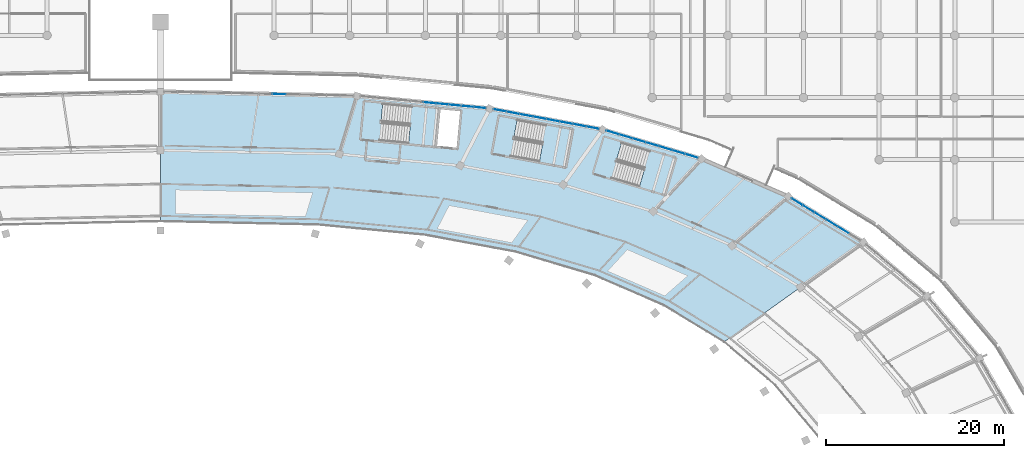
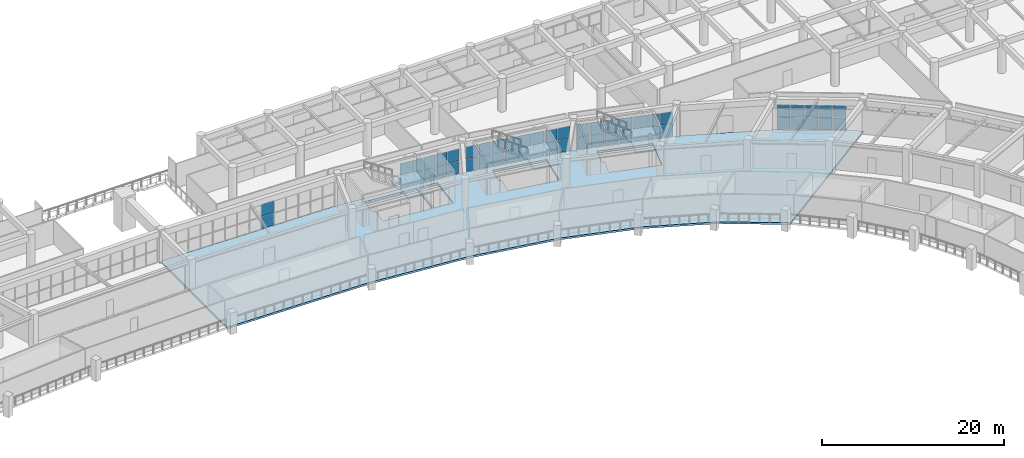
# One storey, part 86 of 141: 52 plates, 4 slabs, 8 elements without a shape of their own.
"""IFC4 building model written with IfcOpenShell, lengths in metres."""

from ifc_helpers import new_model, si_unit, direction, frame, origin, origin_2d, place, context, subcontext, project, spatial, polyline, rectangle, outline, extrude, material, layer, layer_set, type_object, element, aggregate, save


model = new_model("IFC4")

# Units and contexts
model_context = context("Model", 3, precision=1e-05, world=origin(), true_north=direction((0.0, 1.0)))
body_context = subcontext(model_context, "Body", "Model", "MODEL_VIEW")
ifc_project = project(units=[si_unit("LENGTHUNIT", "METRE"), si_unit("AREAUNIT", "SQUARE_METRE"), si_unit("VOLUMEUNIT", "CUBIC_METRE"), si_unit("PLANEANGLEUNIT", "RADIAN"), si_unit("MASSUNIT", "GRAM", prefix="KILO")], contexts=[model_context])

# Site, building, storey
site_placement = place(None, origin())
site = spatial("IfcSite", under=ifc_project, at=site_placement, CompositionType="ELEMENT")
building_placement = place(site_placement, origin())
building = spatial("IfcBuilding", under=site, at=building_placement, Name="Mphavela Belvedere Stadium", CompositionType="ELEMENT")
storey_placement = place(building_placement, frame((0.0, 0.0, 14.699951171875)))
storey = spatial("IfcBuildingStorey", under=building, at=storey_placement, Name="L03", CompositionType="ELEMENT", Elevation=14.699951171875)

# Curtain wall, plates
ifc_material_1 = material(Name="Anodised bronze unitised curtain wall framing")
ifc_layer_1 = layer(ifc_material_1, 0.205078125)
ifc_layer_set_1 = layer_set([ifc_layer_1], Name="Anodised bronze unitised curtain wall framing")
curtain_wall_type_1 = type_object("IfcCurtainWallType", Name="CW-UNIT-06", PredefinedType="USERDEFINED", material=ifc_layer_set_1)
curtain_wall_1_placement = place(storey_placement, origin())
curtain_wall_1 = element("IfcCurtainWall", 1, at=curtain_wall_1_placement, inside=storey, type_object=curtain_wall_type_1, Name="Belvedere colonnade curtain wall L03-07", ObjectType="UNITISED CURTAIN WALL", PredefinedType="USERDEFINED")
ifc_material_2 = material(Name="Solar-control double glazing", Category="glass")
ifc_layer_2 = layer(ifc_material_2, 0.031982421875)
ifc_layer_set_2 = layer_set([ifc_layer_2], Name="Solar-control double glazing")
plate_type = type_object("IfcPlateType", Name="CWP-SOLAR-GLASS", PredefinedType="CURTAIN_PANEL", material=ifc_layer_set_2)
plate_1_placement = place(storey_placement, frame((191.88134765625, 145.09814453125, 0.06005859375), z_axis=(0.0, 0.0, 1.0), x_axis=(-0.8543254975, 0.519738342169, 0.0)))
plate_1 = element("IfcPlate", 2, at=plate_1_placement, type_object=plate_type, Name="CW-06 panel 2.1", PredefinedType="CURTAIN_PANEL", context=body_context, shape_type="SweptSolid", body=[
    extrude(rectangle(XDim=1.4609375, YDim=0.031982421875, at=origin_2d()), origin(), (0.0, 0.0, 1.0), 1.6201171875),
])
plate_2_placement = place(storey_placement, frame((191.88134765625, 145.09814453125, 1.739990234375), z_axis=(0.0, 0.0, 1.0), x_axis=(-0.8543254975, 0.519738342169, 0.0)))
plate_2 = element("IfcPlate", 3, at=plate_2_placement, type_object=plate_type, Name="CW-06 panel 2.2", PredefinedType="CURTAIN_PANEL", context=body_context, shape_type="SweptSolid", body=[
    extrude(rectangle(XDim=1.4609375, YDim=0.031982421875, at=origin_2d()), origin(), (0.0, 0.0, 1.0), 1.6201171875),
])
plate_3_placement = place(storey_placement, frame((190.57763671875, 145.89111328125, 0.06005859375), z_axis=(0.0, 0.0, 1.0), x_axis=(-0.8543254975, 0.519738342169, 0.0)))
plate_3 = element("IfcPlate", 4, at=plate_3_placement, type_object=plate_type, Name="CW-06 panel 3.1", PredefinedType="CURTAIN_PANEL", context=body_context, shape_type="SweptSolid", body=[
    extrude(rectangle(XDim=1.4609375, YDim=0.031982421875, at=origin_2d()), origin(), (0.0, 0.0, 1.0), 1.6201171875),
])
plate_4_placement = place(storey_placement, frame((190.57763671875, 145.89111328125, 1.739990234375), z_axis=(0.0, 0.0, 1.0), x_axis=(-0.8543254975, 0.519738342169, 0.0)))
plate_4 = element("IfcPlate", 5, at=plate_4_placement, type_object=plate_type, Name="CW-06 panel 3.2", PredefinedType="CURTAIN_PANEL", context=body_context, shape_type="SweptSolid", body=[
    extrude(rectangle(XDim=1.4609375, YDim=0.031982421875, at=origin_2d()), origin(), (0.0, 0.0, 1.0), 1.6201171875),
])
plate_5_placement = place(storey_placement, frame((189.274169921875, 146.684326171875, 0.06005859375), z_axis=(0.0, 0.0, 1.0), x_axis=(-0.8543254975, 0.519738342169, 0.0)))
plate_5 = element("IfcPlate", 6, at=plate_5_placement, type_object=plate_type, Name="CW-06 panel 4.1", PredefinedType="CURTAIN_PANEL", context=body_context, shape_type="SweptSolid", body=[
    extrude(rectangle(XDim=1.4609375, YDim=0.031982421875, at=origin_2d()), origin(), (0.0, 0.0, 1.0), 1.6201171875),
])
plate_6_placement = place(storey_placement, frame((189.274169921875, 146.684326171875, 1.739990234375), z_axis=(0.0, 0.0, 1.0), x_axis=(-0.8543254975, 0.519738342169, 0.0)))
plate_6 = element("IfcPlate", 7, at=plate_6_placement, type_object=plate_type, Name="CW-06 panel 4.2", PredefinedType="CURTAIN_PANEL", context=body_context, shape_type="SweptSolid", body=[
    extrude(rectangle(XDim=1.4609375, YDim=0.031982421875, at=origin_2d()), origin(), (0.0, 0.0, 1.0), 1.6201171875),
])
plate_7_placement = place(storey_placement, frame((187.970458984375, 147.477294921875, 0.06005859375), z_axis=(0.0, 0.0, 1.0), x_axis=(-0.8543254975, 0.519738342169, 0.0)))
plate_7 = element("IfcPlate", 8, at=plate_7_placement, type_object=plate_type, Name="CW-06 panel 5.1", PredefinedType="CURTAIN_PANEL", context=body_context, shape_type="SweptSolid", body=[
    extrude(rectangle(XDim=1.4609375, YDim=0.031982421875, at=origin_2d()), origin(), (0.0, 0.0, 1.0), 1.6201171875),
])
plate_8_placement = place(storey_placement, frame((187.970458984375, 147.477294921875, 1.739990234375), z_axis=(0.0, 0.0, 1.0), x_axis=(-0.8543254975, 0.519738342169, 0.0)))
plate_8 = element("IfcPlate", 9, at=plate_8_placement, type_object=plate_type, Name="CW-06 panel 5.2", PredefinedType="CURTAIN_PANEL", context=body_context, shape_type="SweptSolid", body=[
    extrude(rectangle(XDim=1.4609375, YDim=0.031982421875, at=origin_2d()), origin(), (0.0, 0.0, 1.0), 1.6201171875),
])
plate_9_placement = place(storey_placement, frame((186.6806640625, 148.261962890625, 0.06005859375), z_axis=(0.0, 0.0, 1.0), x_axis=(-0.8543254975, 0.519738342169, 0.0)))
plate_9 = element("IfcPlate", 10, at=plate_9_placement, type_object=plate_type, Name="CW-06 panel 6.1", PredefinedType="CURTAIN_PANEL", context=body_context, shape_type="SweptSolid", body=[
    extrude(rectangle(XDim=1.428466796875, YDim=0.031982421875, at=origin_2d()), origin(), (0.0, 0.0, 1.0), 1.6201171875),
])
plate_10_placement = place(storey_placement, frame((186.6806640625, 148.261962890625, 1.739990234375), z_axis=(0.0, 0.0, 1.0), x_axis=(-0.8543254975, 0.519738342169, 0.0)))
plate_10 = element("IfcPlate", 11, at=plate_10_placement, type_object=plate_type, Name="CW-06 panel 6.2", PredefinedType="CURTAIN_PANEL", context=body_context, shape_type="SweptSolid", body=[
    extrude(rectangle(XDim=1.428466796875, YDim=0.031982421875, at=origin_2d()), origin(), (0.0, 0.0, 1.0), 1.6201171875),
])
aggregate(curtain_wall_1, [plate_1, plate_2, plate_3, plate_4, plate_5, plate_6, plate_7, plate_8, plate_9, plate_10])

ifc_material_3 = material(Name="Anodised bronze unitised curtain wall framing")
ifc_layer_3 = layer(ifc_material_3, 0.179931640625)
ifc_layer_set_3 = layer_set([ifc_layer_3], Name="Anodised bronze unitised curtain wall framing")
curtain_wall_type_2 = type_object("IfcCurtainWallType", Name="CW-UNIT-01", PredefinedType="USERDEFINED", material=ifc_layer_set_3)
curtain_wall_2_placement = place(storey_placement, origin())
curtain_wall_2 = element("IfcCurtainWall", 12, at=curtain_wall_2_placement, inside=storey, type_object=curtain_wall_type_2, Name="Belvedere colonnade curtain wall L03-09", ObjectType="UNITISED CURTAIN WALL", PredefinedType="USERDEFINED")
plate_11_placement = place(storey_placement, frame((174.820068359375, 153.423095703125, 0.06005859375), z_axis=(0.0, 0.0, 1.0), x_axis=(-0.958656747975, 0.284565000591, 0.0)))
plate_11 = element("IfcPlate", 13, at=plate_11_placement, type_object=plate_type, Name="CW-01 panel 1.1", PredefinedType="CURTAIN_PANEL", context=body_context, shape_type="SweptSolid", body=[
    extrude(rectangle(XDim=1.45556640625, YDim=0.031982421875, at=origin_2d()), origin(), (0.0, 0.0, 1.0), 1.6201171875),
])
plate_12_placement = place(storey_placement, frame((174.820068359375, 153.423095703125, 1.739990234375), z_axis=(0.0, 0.0, 1.0), x_axis=(-0.958656747975, 0.284565000591, 0.0)))
plate_12 = element("IfcPlate", 14, at=plate_12_placement, type_object=plate_type, Name="CW-01 panel 1.2", PredefinedType="CURTAIN_PANEL", context=body_context, shape_type="SweptSolid", body=[
    extrude(rectangle(XDim=1.45556640625, YDim=0.031982421875, at=origin_2d()), origin(), (0.0, 0.0, 1.0), 1.6201171875),
])
plate_13_placement = place(storey_placement, frame((173.346923828125, 153.8603515625, 0.06005859375), z_axis=(0.0, 0.0, 1.0), x_axis=(-0.958656747975, 0.284565000591, 0.0)))
plate_13 = element("IfcPlate", 15, at=plate_13_placement, type_object=plate_type, Name="CW-01 panel 2.1", PredefinedType="CURTAIN_PANEL", context=body_context, shape_type="SweptSolid", body=[
    extrude(rectangle(XDim=1.488037109375, YDim=0.031982421875, at=origin_2d()), origin(), (0.0, 0.0, 1.0), 1.6201171875),
])
plate_14_placement = place(storey_placement, frame((173.346923828125, 153.8603515625, 1.739990234375), z_axis=(0.0, 0.0, 1.0), x_axis=(-0.958656747975, 0.284565000591, 0.0)))
plate_14 = element("IfcPlate", 16, at=plate_14_placement, type_object=plate_type, Name="CW-01 panel 2.2", PredefinedType="CURTAIN_PANEL", context=body_context, shape_type="SweptSolid", body=[
    extrude(rectangle(XDim=1.488037109375, YDim=0.031982421875, at=origin_2d()), origin(), (0.0, 0.0, 1.0), 1.6201171875),
])
plate_15_placement = place(storey_placement, frame((171.858154296875, 154.30224609375, 0.06005859375), z_axis=(0.0, 0.0, 1.0), x_axis=(-0.958656747975, 0.284565000591, 0.0)))
plate_15 = element("IfcPlate", 17, at=plate_15_placement, type_object=plate_type, Name="CW-01 panel 3.1", PredefinedType="CURTAIN_PANEL", context=body_context, shape_type="SweptSolid", body=[
    extrude(rectangle(XDim=1.488037109375, YDim=0.031982421875, at=origin_2d()), origin(), (0.0, 0.0, 1.0), 1.6201171875),
])
plate_16_placement = place(storey_placement, frame((171.858154296875, 154.30224609375, 1.739990234375), z_axis=(0.0, 0.0, 1.0), x_axis=(-0.958656747975, 0.284565000591, 0.0)))
plate_16 = element("IfcPlate", 18, at=plate_16_placement, type_object=plate_type, Name="CW-01 panel 3.2", PredefinedType="CURTAIN_PANEL", context=body_context, shape_type="SweptSolid", body=[
    extrude(rectangle(XDim=1.488037109375, YDim=0.031982421875, at=origin_2d()), origin(), (0.0, 0.0, 1.0), 1.6201171875),
])
plate_17_placement = place(storey_placement, frame((170.369384765625, 154.744140625, 0.06005859375), z_axis=(0.0, 0.0, 1.0), x_axis=(-0.958656747975, 0.284565000591, 0.0)))
plate_17 = element("IfcPlate", 19, at=plate_17_placement, type_object=plate_type, Name="CW-01 panel 4.1", PredefinedType="CURTAIN_PANEL", context=body_context, shape_type="SweptSolid", body=[
    extrude(rectangle(XDim=1.488037109375, YDim=0.031982421875, at=origin_2d()), origin(), (0.0, 0.0, 1.0), 1.6201171875),
])
plate_18_placement = place(storey_placement, frame((170.369384765625, 154.744140625, 1.739990234375), z_axis=(0.0, 0.0, 1.0), x_axis=(-0.958656747975, 0.284565000591, 0.0)))
plate_18 = element("IfcPlate", 20, at=plate_18_placement, type_object=plate_type, Name="CW-01 panel 4.2", PredefinedType="CURTAIN_PANEL", context=body_context, shape_type="SweptSolid", body=[
    extrude(rectangle(XDim=1.488037109375, YDim=0.031982421875, at=origin_2d()), origin(), (0.0, 0.0, 1.0), 1.6201171875),
])
plate_19_placement = place(storey_placement, frame((168.880615234375, 155.18603515625, 0.06005859375), z_axis=(0.0, 0.0, 1.0), x_axis=(-0.958656747975, 0.284565000591, 0.0)))
plate_19 = element("IfcPlate", 21, at=plate_19_placement, type_object=plate_type, Name="CW-01 panel 5.1", PredefinedType="CURTAIN_PANEL", context=body_context, shape_type="SweptSolid", body=[
    extrude(rectangle(XDim=1.488037109375, YDim=0.031982421875, at=origin_2d()), origin(), (0.0, 0.0, 1.0), 1.6201171875),
])
plate_20_placement = place(storey_placement, frame((168.880615234375, 155.18603515625, 1.739990234375), z_axis=(0.0, 0.0, 1.0), x_axis=(-0.958656747975, 0.284565000591, 0.0)))
plate_20 = element("IfcPlate", 22, at=plate_20_placement, type_object=plate_type, Name="CW-01 panel 5.2", PredefinedType="CURTAIN_PANEL", context=body_context, shape_type="SweptSolid", body=[
    extrude(rectangle(XDim=1.488037109375, YDim=0.031982421875, at=origin_2d()), origin(), (0.0, 0.0, 1.0), 1.6201171875),
])
plate_21_placement = place(storey_placement, frame((167.391845703125, 155.6279296875, 0.06005859375), z_axis=(0.0, 0.0, 1.0), x_axis=(-0.958656747975, 0.284565000591, 0.0)))
plate_21 = element("IfcPlate", 23, at=plate_21_placement, type_object=plate_type, Name="CW-01 panel 6.1", PredefinedType="CURTAIN_PANEL", context=body_context, shape_type="SweptSolid", body=[
    extrude(rectangle(XDim=1.488037109375, YDim=0.031982421875, at=origin_2d()), origin(), (0.0, 0.0, 1.0), 1.6201171875),
])
plate_22_placement = place(storey_placement, frame((167.391845703125, 155.6279296875, 1.739990234375), z_axis=(0.0, 0.0, 1.0), x_axis=(-0.958656747975, 0.284565000591, 0.0)))
plate_22 = element("IfcPlate", 24, at=plate_22_placement, type_object=plate_type, Name="CW-01 panel 6.2", PredefinedType="CURTAIN_PANEL", context=body_context, shape_type="SweptSolid", body=[
    extrude(rectangle(XDim=1.488037109375, YDim=0.031982421875, at=origin_2d()), origin(), (0.0, 0.0, 1.0), 1.6201171875),
])
plate_23_placement = place(storey_placement, frame((165.918701171875, 156.065185546875, 0.06005859375), z_axis=(0.0, 0.0, 1.0), x_axis=(-0.958656747975, 0.284565000591, 0.0)))
plate_23 = element("IfcPlate", 25, at=plate_23_placement, type_object=plate_type, Name="CW-01 panel 7.1", PredefinedType="CURTAIN_PANEL", context=body_context, shape_type="SweptSolid", body=[
    extrude(rectangle(XDim=1.45556640625, YDim=0.031982421875, at=origin_2d()), origin(), (0.0, 0.0, 1.0), 1.6201171875),
])
plate_24_placement = place(storey_placement, frame((165.918701171875, 156.065185546875, 1.739990234375), z_axis=(0.0, 0.0, 1.0), x_axis=(-0.958656747975, 0.284565000591, 0.0)))
plate_24 = element("IfcPlate", 26, at=plate_24_placement, type_object=plate_type, Name="CW-01 panel 7.2", PredefinedType="CURTAIN_PANEL", context=body_context, shape_type="SweptSolid", body=[
    extrude(rectangle(XDim=1.45556640625, YDim=0.031982421875, at=origin_2d()), origin(), (0.0, 0.0, 1.0), 1.6201171875),
])
aggregate(curtain_wall_2, [plate_11, plate_12, plate_13, plate_14, plate_15, plate_16, plate_17, plate_18, plate_19, plate_20, plate_21, plate_22, plate_23, plate_24])

ifc_material_4 = material(Name="Anodised bronze unitised curtain wall framing")
ifc_layer_4 = layer(ifc_material_4, 0.18505859375)
ifc_layer_set_4 = layer_set([ifc_layer_4], Name="Anodised bronze unitised curtain wall framing")
curtain_wall_type_3 = type_object("IfcCurtainWallType", Name="CW-UNIT-02", PredefinedType="USERDEFINED", material=ifc_layer_set_4)
curtain_wall_3_placement = place(storey_placement, origin())
curtain_wall_3 = element("IfcCurtainWall", 27, at=curtain_wall_3_placement, inside=storey, type_object=curtain_wall_type_3, Name="Belvedere colonnade curtain wall L03-10", ObjectType="UNITISED CURTAIN WALL", PredefinedType="USERDEFINED")
plate_25_placement = place(storey_placement, frame((163.6689453125, 156.60791015625, 0.06005859375), z_axis=(0.0, 0.0, 1.0), x_axis=(-0.983096546836, 0.18308790129, 0.0)))
plate_25 = element("IfcPlate", 28, at=plate_25_placement, type_object=plate_type, Name="CW-02 panel 1.1", PredefinedType="CURTAIN_PANEL", context=body_context, shape_type="SweptSolid", body=[
    extrude(rectangle(XDim=1.427734375, YDim=0.031982421875, at=origin_2d()), origin(), (0.0, 0.0, 1.0), 1.6201171875),
])
plate_26_placement = place(storey_placement, frame((163.6689453125, 156.60791015625, 1.739990234375), z_axis=(0.0, 0.0, 1.0), x_axis=(-0.983096546836, 0.18308790129, 0.0)))
plate_26 = element("IfcPlate", 29, at=plate_26_placement, type_object=plate_type, Name="CW-02 panel 1.2", PredefinedType="CURTAIN_PANEL", context=body_context, shape_type="SweptSolid", body=[
    extrude(rectangle(XDim=1.427734375, YDim=0.031982421875, at=origin_2d()), origin(), (0.0, 0.0, 1.0), 1.6201171875),
])
plate_27_placement = place(storey_placement, frame((162.185546875, 156.884033203125, 0.06005859375), z_axis=(0.0, 0.0, 1.0), x_axis=(-0.983096546836, 0.18308790129, 0.0)))
plate_27 = element("IfcPlate", 30, at=plate_27_placement, type_object=plate_type, Name="CW-02 panel 2.1", PredefinedType="CURTAIN_PANEL", context=body_context, shape_type="SweptSolid", body=[
    extrude(rectangle(XDim=1.460205078125, YDim=0.031982421875, at=origin_2d()), origin(), (0.0, 0.0, 1.0), 1.6201171875),
])
plate_28_placement = place(storey_placement, frame((162.185546875, 156.884033203125, 1.739990234375), z_axis=(0.0, 0.0, 1.0), x_axis=(-0.983096546836, 0.18308790129, 0.0)))
plate_28 = element("IfcPlate", 31, at=plate_28_placement, type_object=plate_type, Name="CW-02 panel 2.2", PredefinedType="CURTAIN_PANEL", context=body_context, shape_type="SweptSolid", body=[
    extrude(rectangle(XDim=1.460205078125, YDim=0.031982421875, at=origin_2d()), origin(), (0.0, 0.0, 1.0), 1.6201171875),
])
plate_29_placement = place(storey_placement, frame((160.68603515625, 157.163330078125, 0.06005859375), z_axis=(0.0, 0.0, 1.0), x_axis=(-0.983096546836, 0.18308790129, 0.0)))
plate_29 = element("IfcPlate", 32, at=plate_29_placement, type_object=plate_type, Name="CW-02 panel 3.1", PredefinedType="CURTAIN_PANEL", context=body_context, shape_type="SweptSolid", body=[
    extrude(rectangle(XDim=1.460205078125, YDim=0.031982421875, at=origin_2d()), origin(), (0.0, 0.0, 1.0), 1.6201171875),
])
plate_30_placement = place(storey_placement, frame((160.68603515625, 157.163330078125, 1.739990234375), z_axis=(0.0, 0.0, 1.0), x_axis=(-0.983096546836, 0.18308790129, 0.0)))
plate_30 = element("IfcPlate", 33, at=plate_30_placement, type_object=plate_type, Name="CW-02 panel 3.2", PredefinedType="CURTAIN_PANEL", context=body_context, shape_type="SweptSolid", body=[
    extrude(rectangle(XDim=1.460205078125, YDim=0.031982421875, at=origin_2d()), origin(), (0.0, 0.0, 1.0), 1.6201171875),
])
plate_31_placement = place(storey_placement, frame((159.186767578125, 157.442626953125, 0.06005859375), z_axis=(0.0, 0.0, 1.0), x_axis=(-0.983096546836, 0.18308790129, 0.0)))
plate_31 = element("IfcPlate", 34, at=plate_31_placement, type_object=plate_type, Name="CW-02 panel 4.1", PredefinedType="CURTAIN_PANEL", context=body_context, shape_type="SweptSolid", body=[
    extrude(rectangle(XDim=1.460205078125, YDim=0.031982421875, at=origin_2d()), origin(), (0.0, 0.0, 1.0), 1.6201171875),
])
plate_32_placement = place(storey_placement, frame((159.186767578125, 157.442626953125, 1.739990234375), z_axis=(0.0, 0.0, 1.0), x_axis=(-0.983096546836, 0.18308790129, 0.0)))
plate_32 = element("IfcPlate", 35, at=plate_32_placement, type_object=plate_type, Name="CW-02 panel 4.2", PredefinedType="CURTAIN_PANEL", context=body_context, shape_type="SweptSolid", body=[
    extrude(rectangle(XDim=1.460205078125, YDim=0.031982421875, at=origin_2d()), origin(), (0.0, 0.0, 1.0), 1.6201171875),
])
plate_33_placement = place(storey_placement, frame((157.687255859375, 157.7216796875, 0.06005859375), z_axis=(0.0, 0.0, 1.0), x_axis=(-0.983096546836, 0.18308790129, 0.0)))
plate_33 = element("IfcPlate", 36, at=plate_33_placement, type_object=plate_type, Name="CW-02 panel 5.1", PredefinedType="CURTAIN_PANEL", context=body_context, shape_type="SweptSolid", body=[
    extrude(rectangle(XDim=1.460205078125, YDim=0.031982421875, at=origin_2d()), origin(), (0.0, 0.0, 1.0), 1.6201171875),
])
plate_34_placement = place(storey_placement, frame((157.687255859375, 157.7216796875, 1.739990234375), z_axis=(0.0, 0.0, 1.0), x_axis=(-0.983096546836, 0.18308790129, 0.0)))
plate_34 = element("IfcPlate", 37, at=plate_34_placement, type_object=plate_type, Name="CW-02 panel 5.2", PredefinedType="CURTAIN_PANEL", context=body_context, shape_type="SweptSolid", body=[
    extrude(rectangle(XDim=1.460205078125, YDim=0.031982421875, at=origin_2d()), origin(), (0.0, 0.0, 1.0), 1.6201171875),
])
plate_35_placement = place(storey_placement, frame((156.18798828125, 158.0009765625, 0.06005859375), z_axis=(0.0, 0.0, 1.0), x_axis=(-0.983096546836, 0.18308790129, 0.0)))
plate_35 = element("IfcPlate", 38, at=plate_35_placement, type_object=plate_type, Name="CW-02 panel 6.1", PredefinedType="CURTAIN_PANEL", context=body_context, shape_type="SweptSolid", body=[
    extrude(rectangle(XDim=1.460205078125, YDim=0.031982421875, at=origin_2d()), origin(), (0.0, 0.0, 1.0), 1.6201171875),
])
plate_36_placement = place(storey_placement, frame((156.18798828125, 158.0009765625, 1.739990234375), z_axis=(0.0, 0.0, 1.0), x_axis=(-0.983096546836, 0.18308790129, 0.0)))
plate_36 = element("IfcPlate", 39, at=plate_36_placement, type_object=plate_type, Name="CW-02 panel 6.2", PredefinedType="CURTAIN_PANEL", context=body_context, shape_type="SweptSolid", body=[
    extrude(rectangle(XDim=1.460205078125, YDim=0.031982421875, at=origin_2d()), origin(), (0.0, 0.0, 1.0), 1.6201171875),
])
plate_37_placement = place(storey_placement, frame((154.6884765625, 158.2802734375, 0.06005859375), z_axis=(0.0, 0.0, 1.0), x_axis=(-0.983096546836, 0.18308790129, 0.0)))
plate_37 = element("IfcPlate", 40, at=plate_37_placement, type_object=plate_type, Name="CW-02 panel 7.1", PredefinedType="CURTAIN_PANEL", context=body_context, shape_type="SweptSolid", body=[
    extrude(rectangle(XDim=1.460205078125, YDim=0.031982421875, at=origin_2d()), origin(), (0.0, 0.0, 1.0), 1.6201171875),
])
plate_38_placement = place(storey_placement, frame((154.6884765625, 158.2802734375, 1.739990234375), z_axis=(0.0, 0.0, 1.0), x_axis=(-0.983096546836, 0.18308790129, 0.0)))
plate_38 = element("IfcPlate", 41, at=plate_38_placement, type_object=plate_type, Name="CW-02 panel 7.2", PredefinedType="CURTAIN_PANEL", context=body_context, shape_type="SweptSolid", body=[
    extrude(rectangle(XDim=1.460205078125, YDim=0.031982421875, at=origin_2d()), origin(), (0.0, 0.0, 1.0), 1.6201171875),
])
plate_39_placement = place(storey_placement, frame((153.205078125, 158.556396484375, 0.06005859375), z_axis=(0.0, 0.0, 1.0), x_axis=(-0.983096546836, 0.18308790129, 0.0)))
plate_39 = element("IfcPlate", 42, at=plate_39_placement, type_object=plate_type, Name="CW-02 panel 8.1", PredefinedType="CURTAIN_PANEL", context=body_context, shape_type="SweptSolid", body=[
    extrude(rectangle(XDim=1.427734375, YDim=0.031982421875, at=origin_2d()), origin(), (0.0, 0.0, 1.0), 1.6201171875),
])
plate_40_placement = place(storey_placement, frame((153.205078125, 158.556396484375, 1.739990234375), z_axis=(0.0, 0.0, 1.0), x_axis=(-0.983096546836, 0.18308790129, 0.0)))
plate_40 = element("IfcPlate", 43, at=plate_40_placement, type_object=plate_type, Name="CW-02 panel 8.2", PredefinedType="CURTAIN_PANEL", context=body_context, shape_type="SweptSolid", body=[
    extrude(rectangle(XDim=1.427734375, YDim=0.031982421875, at=origin_2d()), origin(), (0.0, 0.0, 1.0), 1.6201171875),
])
aggregate(curtain_wall_3, [plate_25, plate_26, plate_27, plate_28, plate_29, plate_30, plate_31, plate_32, plate_33, plate_34, plate_35, plate_36, plate_37, plate_38, plate_39, plate_40])

ifc_material_5 = material(Name="Anodised bronze unitised curtain wall framing")
ifc_layer_5 = layer(ifc_material_5, 0.18994140625)
ifc_layer_set_5 = layer_set([ifc_layer_5], Name="Anodised bronze unitised curtain wall framing")
curtain_wall_type_4 = type_object("IfcCurtainWallType", Name="CW-UNIT-03", PredefinedType="USERDEFINED", material=ifc_layer_set_5)
curtain_wall_4_placement = place(storey_placement, origin())
curtain_wall_4 = element("IfcCurtainWall", 44, at=curtain_wall_4_placement, inside=storey, type_object=curtain_wall_type_4, Name="Belvedere colonnade curtain wall L03-11", ObjectType="UNITISED CURTAIN WALL", PredefinedType="USERDEFINED")
plate_41_placement = place(storey_placement, frame((150.974609375, 158.8720703125, 0.06005859375), z_axis=(0.0, 0.0, 1.0), x_axis=(-0.99548400913, 0.094929381996, 0.0)))
plate_41 = element("IfcPlate", 45, at=plate_41_placement, type_object=plate_type, Name="CW-03 panel 1.1", PredefinedType="CURTAIN_PANEL", context=body_context, shape_type="SweptSolid", body=[
    extrude(rectangle(XDim=1.33056640625, YDim=0.031982421875, at=origin_2d()), origin(), (0.0, 0.0, 1.0), 1.6201171875),
])
plate_42_placement = place(storey_placement, frame((150.974609375, 158.8720703125, 1.739990234375), z_axis=(0.0, 0.0, 1.0), x_axis=(-0.99548400913, 0.094929381996, 0.0)))
plate_42 = element("IfcPlate", 46, at=plate_42_placement, type_object=plate_type, Name="CW-03 panel 1.2", PredefinedType="CURTAIN_PANEL", context=body_context, shape_type="SweptSolid", body=[
    extrude(rectangle(XDim=1.33056640625, YDim=0.031982421875, at=origin_2d()), origin(), (0.0, 0.0, 1.0), 1.6201171875),
])
plate_43_placement = place(storey_placement, frame((149.569091796875, 159.006103515625, 0.06005859375), z_axis=(0.0, 0.0, 1.0), x_axis=(-0.99548400913, 0.094929381996, 0.0)))
plate_43 = element("IfcPlate", 47, at=plate_43_placement, type_object=plate_type, Name="CW-03 panel 2.1", PredefinedType="CURTAIN_PANEL", context=body_context, shape_type="SweptSolid", body=[
    extrude(rectangle(XDim=1.363037109375, YDim=0.031982421875, at=origin_2d()), origin(), (0.0, 0.0, 1.0), 1.6201171875),
])
plate_44_placement = place(storey_placement, frame((149.569091796875, 159.006103515625, 1.739990234375), z_axis=(0.0, 0.0, 1.0), x_axis=(-0.99548400913, 0.094929381996, 0.0)))
plate_44 = element("IfcPlate", 48, at=plate_44_placement, type_object=plate_type, Name="CW-03 panel 2.2", PredefinedType="CURTAIN_PANEL", context=body_context, shape_type="SweptSolid", body=[
    extrude(rectangle(XDim=1.363037109375, YDim=0.031982421875, at=origin_2d()), origin(), (0.0, 0.0, 1.0), 1.6201171875),
])
plate_45_placement = place(storey_placement, frame((148.147705078125, 159.1416015625, 0.06005859375), z_axis=(0.0, 0.0, 1.0), x_axis=(-0.99548400913, 0.094929381996, 0.0)))
plate_45 = element("IfcPlate", 49, at=plate_45_placement, type_object=plate_type, Name="CW-03 panel 3.1", PredefinedType="CURTAIN_PANEL", context=body_context, shape_type="SweptSolid", body=[
    extrude(rectangle(XDim=1.363037109375, YDim=0.031982421875, at=origin_2d()), origin(), (0.0, 0.0, 1.0), 1.6201171875),
])
plate_46_placement = place(storey_placement, frame((148.147705078125, 159.1416015625, 1.739990234375), z_axis=(0.0, 0.0, 1.0), x_axis=(-0.99548400913, 0.094929381996, 0.0)))
plate_46 = element("IfcPlate", 50, at=plate_46_placement, type_object=plate_type, Name="CW-03 panel 3.2", PredefinedType="CURTAIN_PANEL", context=body_context, shape_type="SweptSolid", body=[
    extrude(rectangle(XDim=1.363037109375, YDim=0.031982421875, at=origin_2d()), origin(), (0.0, 0.0, 1.0), 1.6201171875),
])
plate_47_placement = place(storey_placement, frame((146.72607421875, 159.27734375, 0.06005859375), z_axis=(0.0, 0.0, 1.0), x_axis=(-0.99548400913, 0.094929381996, 0.0)))
plate_47 = element("IfcPlate", 51, at=plate_47_placement, type_object=plate_type, Name="CW-03 panel 4.1", PredefinedType="CURTAIN_PANEL", context=body_context, shape_type="SweptSolid", body=[
    extrude(rectangle(XDim=1.363037109375, YDim=0.031982421875, at=origin_2d()), origin(), (0.0, 0.0, 1.0), 1.6201171875),
])
plate_48_placement = place(storey_placement, frame((146.72607421875, 159.27734375, 1.739990234375), z_axis=(0.0, 0.0, 1.0), x_axis=(-0.99548400913, 0.094929381996, 0.0)))
plate_48 = element("IfcPlate", 52, at=plate_48_placement, type_object=plate_type, Name="CW-03 panel 4.2", PredefinedType="CURTAIN_PANEL", context=body_context, shape_type="SweptSolid", body=[
    extrude(rectangle(XDim=1.363037109375, YDim=0.031982421875, at=origin_2d()), origin(), (0.0, 0.0, 1.0), 1.6201171875),
])
plate_49_placement = place(storey_placement, frame((145.304443359375, 159.412841796875, 0.06005859375), z_axis=(0.0, 0.0, 1.0), x_axis=(-0.99548400913, 0.094929381996, 0.0)))
plate_49 = element("IfcPlate", 53, at=plate_49_placement, type_object=plate_type, Name="CW-03 panel 5.1", PredefinedType="CURTAIN_PANEL", context=body_context, shape_type="SweptSolid", body=[
    extrude(rectangle(XDim=1.363037109375, YDim=0.031982421875, at=origin_2d()), origin(), (0.0, 0.0, 1.0), 1.6201171875),
])
plate_50_placement = place(storey_placement, frame((145.304443359375, 159.412841796875, 1.739990234375), z_axis=(0.0, 0.0, 1.0), x_axis=(-0.99548400913, 0.094929381996, 0.0)))
plate_50 = element("IfcPlate", 54, at=plate_50_placement, type_object=plate_type, Name="CW-03 panel 5.2", PredefinedType="CURTAIN_PANEL", context=body_context, shape_type="SweptSolid", body=[
    extrude(rectangle(XDim=1.363037109375, YDim=0.031982421875, at=origin_2d()), origin(), (0.0, 0.0, 1.0), 1.6201171875),
])
aggregate(curtain_wall_4, [plate_41, plate_42, plate_43, plate_44, plate_45, plate_46, plate_47, plate_48, plate_49, plate_50])

ifc_material_6 = material(Name="Anodised bronze unitised curtain wall framing")
ifc_layer_6 = layer(ifc_material_6, 0.195068359375)
ifc_layer_set_6 = layer_set([ifc_layer_6], Name="Anodised bronze unitised curtain wall framing")
curtain_wall_type_5 = type_object("IfcCurtainWallType", Name="CW-UNIT-04", PredefinedType="USERDEFINED", material=ifc_layer_set_6)
curtain_wall_5_placement = place(storey_placement, origin())
curtain_wall_5 = element("IfcCurtainWall", 55, at=curtain_wall_5_placement, inside=storey, type_object=curtain_wall_type_5, Name="Belvedere colonnade curtain wall L03-12", ObjectType="UNITISED CURTAIN WALL", PredefinedType="USERDEFINED")
plate_51_placement = place(storey_placement, frame((128.346923828125, 160.382568359375, 0.06005859375), z_axis=(0.0, 0.0, 1.0), x_axis=(-0.999768179453, 0.02153107878, 0.0)))
plate_51 = element("IfcPlate", 56, at=plate_51_placement, type_object=plate_type, Name="CW-04 panel 6.1", PredefinedType="CURTAIN_PANEL", context=body_context, shape_type="SweptSolid", body=[
    extrude(rectangle(XDim=1.461669921875, YDim=0.031982421875, at=origin_2d()), origin(), (0.0, 0.0, 1.0), 1.6201171875),
])
plate_52_placement = place(storey_placement, frame((128.346923828125, 160.382568359375, 1.739990234375), z_axis=(0.0, 0.0, 1.0), x_axis=(-0.999768179453, 0.02153107878, 0.0)))
plate_52 = element("IfcPlate", 57, at=plate_52_placement, type_object=plate_type, Name="CW-04 panel 6.2", PredefinedType="CURTAIN_PANEL", context=body_context, shape_type="SweptSolid", body=[
    extrude(rectangle(XDim=1.461669921875, YDim=0.031982421875, at=origin_2d()), origin(), (0.0, 0.0, 1.0), 1.6201171875),
])
aggregate(curtain_wall_5, [plate_51, plate_52])

# Slab
ifc_material_7 = material(Name="Concrete C40/50", Category="concrete")
ifc_layer_7 = layer(ifc_material_7, 0.25)
ifc_layer_set_7 = layer_set([ifc_layer_7], Name="Concrete C40/50")
slab_type_1 = type_object("IfcSlabType", Name="SLB-CONCOURSE-250", PredefinedType="FLOOR", material=ifc_layer_set_7)
slab_1_placement = place(storey_placement, frame((0.0, 0.0, -0.25)))
element("IfcSlab", 58, at=slab_1_placement, inside=storey, type_object=slab_type_1, Name="Concourse sector slab L03-S2", PredefinedType="FLOOR", context=body_context, shape_type="SweptSolid", body=[
    extrude(outline(polyline([(152.07275390625, 158.767333984375), (164.80126953125, 156.39697265625), (175.9375, 153.09130859375), (185.6962890625, 148.86083984375), (194.155517578125, 143.714599609375), (178.473876953125, 132.478515625), (171.6904296875, 136.60546875), (163.864990234375, 139.997802734375), (154.934814453125, 142.6484375), (144.728271484375, 144.54931640625), (132.7333984375, 145.693115234375), (115.0, 146.074951171875), (115.0, 160.669921875), (137.114501953125, 160.19384765625), (152.07275390625, 158.767333984375)]), holes=[polyline([(139.82373046875, 157.23583984375), (140.158203125, 157.2041015625), (139.959228515625, 155.118408203125), (145.892333984375, 154.552490234375), (146.290283203125, 158.723388671875), (140.022705078125, 159.3212890625), (139.82373046875, 157.23583984375)]), polyline([(146.111328125, 154.531494140625), (148.361083984375, 154.31689453125), (148.759033203125, 158.48779296875), (146.509521484375, 158.702392578125), (146.111328125, 154.531494140625)]), polyline([(172.96826171875, 153.139892578125), (166.932373046875, 154.93115234375), (166.336181640625, 152.9228515625), (166.658447265625, 152.8271484375), (166.0625, 150.818603515625), (171.77587890625, 149.123046875), (172.96826171875, 153.139892578125)]), polyline([(160.586181640625, 152.230712890625), (161.353271484375, 156.349853515625), (155.16357421875, 157.502685546875), (154.780029296875, 155.443115234375), (155.1103515625, 155.381591796875), (154.726806640625, 153.322021484375), (160.586181640625, 152.230712890625)])]), origin(), (0.0, 0.0, 1.0), 0.25),
])

# Stair, slab
ifc_material_8 = material(Name="Concrete C40/50", Category="concrete")
stair_type_1 = type_object("IfcStairType", Name="STR-HALF-TURN-3", PredefinedType="HALF_TURN_STAIR", material=ifc_material_8)
stair_1_placement = place(storey_placement, origin())
stair_1 = element("IfcStair", 59, at=stair_1_placement, inside=storey, type_object=stair_type_1, Name="L03 Escape stair core C03", PredefinedType="HALF_TURN_STAIR")
ifc_material_9 = material(Name="Concrete C40/50", Category="concrete")
ifc_layer_8 = layer(ifc_material_9, 0.199951171875)
ifc_layer_set_8 = layer_set([ifc_layer_8], Name="Concrete C40/50")
slab_type_2 = type_object("IfcSlabType", Name="SLB-LANDING-200", PredefinedType="LANDING", material=ifc_layer_set_8)
slab_2_placement = place(storey_placement, frame((0.0, 0.0, 2.050048828125)))
slab_2 = element("IfcSlab", 60, at=slab_2_placement, type_object=slab_type_2, Name="ST-C03 landing 1", PredefinedType="LANDING", context=body_context, shape_type="SweptSolid", body=[
    extrude(outline(polyline([(142.91162109375, 154.71630859375), (145.881103515625, 154.432861328125), (146.3017578125, 158.843017578125), (142.978759765625, 159.159912109375), (142.7685546875, 156.955078125), (143.121826171875, 156.921142578125), (142.91162109375, 154.71630859375)])), origin(), (0.0, 0.0, 1.0), 0.199951171875),
])
aggregate(stair_1, [slab_2])

ifc_material_10 = material(Name="Precast concrete C45/55", Category="concrete")
stair_type_2 = type_object("IfcStairType", Name="STR-TWO-RET-1", PredefinedType="TWO_STRAIGHT_RUN_STAIR", material=ifc_material_10)
stair_2_placement = place(storey_placement, origin())
stair_2 = element("IfcStair", 61, at=stair_2_placement, inside=storey, type_object=stair_type_2, Name="L03 Escape stair core P01", PredefinedType="TWO_STRAIGHT_RUN_STAIR")
slab_3_placement = place(storey_placement, frame((0.0, 0.0, 2.050048828125)))
slab_3 = element("IfcSlab", 62, at=slab_3_placement, type_object=slab_type_2, Name="ST-P01 landing 1", PredefinedType="LANDING", context=body_context, shape_type="SweptSolid", body=[
    extrude(outline(polyline([(168.882080078125, 149.856689453125), (171.741943359375, 149.008056640625), (173.002197265625, 153.2548828125), (169.80224609375, 154.20458984375), (169.172119140625, 152.081298828125), (169.512451171875, 151.97998046875), (168.882080078125, 149.856689453125)])), origin(), (0.0, 0.0, 1.0), 0.199951171875),
])
aggregate(stair_2, [slab_3])

ifc_material_11 = material(Name="Precast concrete C45/55", Category="concrete")
stair_type_3 = type_object("IfcStairType", Name="STR-TWO-RET-2", PredefinedType="TWO_STRAIGHT_RUN_STAIR", material=ifc_material_11)
stair_3_placement = place(storey_placement, origin())
stair_3 = element("IfcStair", 63, at=stair_3_placement, inside=storey, type_object=stair_type_3, Name="L03 Escape stair core P02", PredefinedType="TWO_STRAIGHT_RUN_STAIR")
slab_4_placement = place(storey_placement, frame((0.0, 0.0, 2.050048828125)))
slab_4 = element("IfcSlab", 64, at=slab_4_placement, type_object=slab_type_2, Name="ST-P02 landing 1", PredefinedType="LANDING", context=body_context, shape_type="SweptSolid", body=[
    extrude(outline(polyline([(157.631591796875, 152.658935546875), (160.564208984375, 152.11279296875), (161.375244140625, 156.468017578125), (158.093505859375, 157.0791015625), (157.68798828125, 154.901611328125), (158.037109375, 154.83642578125), (157.631591796875, 152.658935546875)])), origin(), (0.0, 0.0, 1.0), 0.199951171875),
])
aggregate(stair_3, [slab_4])

save(model, "model.ifc")
